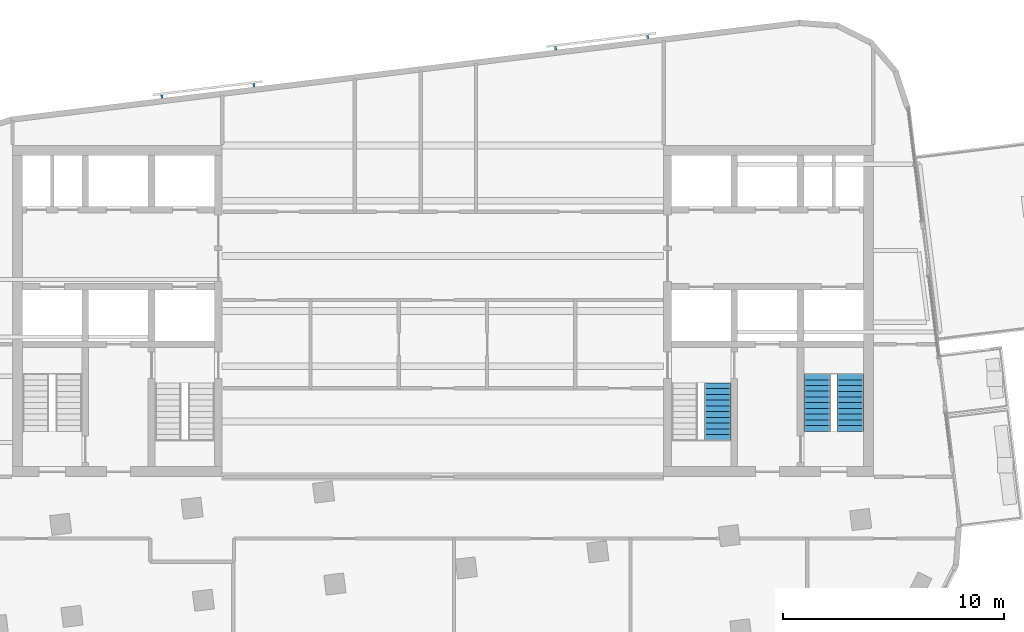
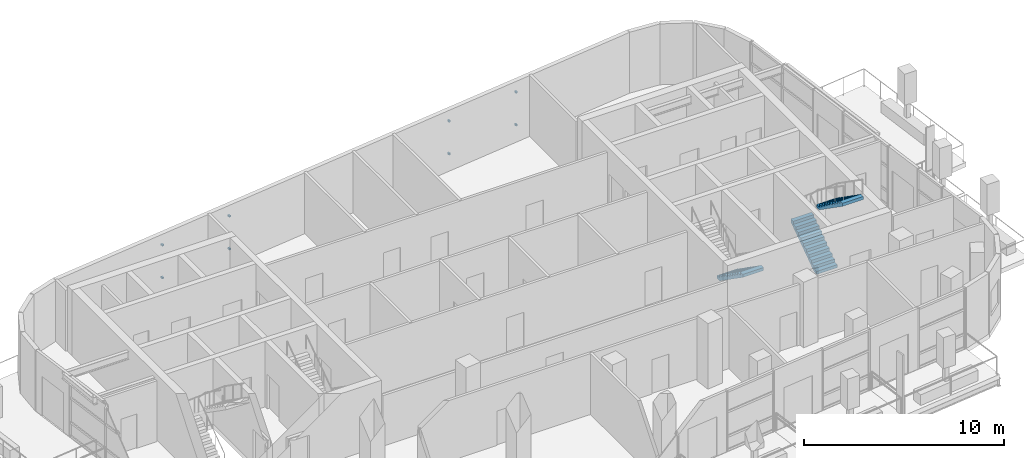
# One storey, part 11 of 14: 8 discrete accessories, 3 stair flights, 2 elements without a shape of their own.
"""IFC4 building model written with IfcOpenShell, lengths in metres."""

from ifc_helpers import new_model, si_unit, direction, frame, origin, origin_2d, place, context, subcontext, project, spatial, polyline, rectangle, outline, extrude, material, type_object, element, aggregate, save


model = new_model("IFC4")

# Units and contexts
model_context = context("Model", 3, precision=1e-05, world=origin(), true_north=direction((0.0, 1.0)))
body_context = subcontext(model_context, "Body", "Model", "MODEL_VIEW")
ifc_project = project(units=[si_unit("LENGTHUNIT", "METRE"), si_unit("AREAUNIT", "SQUARE_METRE"), si_unit("VOLUMEUNIT", "CUBIC_METRE"), si_unit("PLANEANGLEUNIT", "RADIAN"), si_unit("MASSUNIT", "GRAM", prefix="KILO")], contexts=[model_context])

# Site, building, storey
site_placement = place(None, origin())
site = spatial("IfcSite", under=ifc_project, at=site_placement, CompositionType="ELEMENT")
building_placement = place(site_placement, origin())
building = spatial("IfcBuilding", under=site, at=building_placement, Name="Torana Hotel and Residences", CompositionType="ELEMENT")
storey_placement = place(building_placement, frame((0.0, 0.0, 338.60009765625)))
storey = spatial("IfcBuildingStorey", under=building, at=storey_placement, Name="L89", CompositionType="ELEMENT", Elevation=338.60009765625)

# Stair, stair flight
ifc_material_1 = material(Name="Concrete C40/50 precast", Category="concrete")
stair_type_1 = type_object("IfcStairType", Name="STAIR ST3 HALF TURN 1200", PredefinedType="HALF_TURN_STAIR", material=ifc_material_1)
stair_1_placement = place(storey_placement, origin())
stair_1 = element("IfcStair", 1, at=stair_1_placement, inside=storey, type_object=stair_type_1, Name="Stair ST3 L89", PredefinedType="HALF_TURN_STAIR")
ifc_material_2 = material(Name="Concrete C40/50 precast", Category="concrete")
stair_flight_type = type_object("IfcStairFlightType", Name="STAIR FLIGHT 1200 PRECAST", PredefinedType="STRAIGHT", material=ifc_material_2)
stair_flight_1_placement = place(storey_placement, frame((12.449951171875, -10.75, 0.0), z_axis=(0.0, 0.0, 1.0), x_axis=(0.0, -1.0, 0.0)))
stair_flight_1 = element("IfcStairFlight", 2, at=stair_flight_1_placement, type_object=stair_flight_type, Name="ST3 flight 1", NumberOfRisers=11, NumberOfTreads=10, PredefinedType="STRAIGHT", RiserHeight=0.181818182, TreadLength=0.26, context=body_context, shape_type="SweptSolid", body=[
    extrude(outline(polyline([(0.0, 0.0), (0.0, 0.181884765625), (0.260009765625, 0.181884765625), (0.260009765625, 0.363525390625), (0.52001953125, 0.363525390625), (0.52001953125, 0.54541015625), (0.780029296875, 0.54541015625), (0.780029296875, 0.727294921875), (1.0400390625, 0.727294921875), (1.0400390625, 0.9091796875), (1.300048828125, 0.9091796875), (1.300048828125, 1.0908203125), (1.56005859375, 1.0908203125), (1.56005859375, 1.272705078125), (1.820068359375, 1.272705078125), (1.820068359375, 1.45458984375), (2.080078125, 1.45458984375), (2.080078125, 1.636474609375), (2.340087890625, 1.636474609375), (2.340087890625, 1.818115234375), (2.60009765625, 1.818115234375), (2.60009765625, 2.0), (2.60009765625, 1.63525390625), (0.261474609375, 0.0), (0.0, 0.0)])), frame((0.0, 0.60009765625, 0.0), z_axis=(0.0, -1.0, 0.0), x_axis=(1.0, 0.0, 0.0)), (0.0, 0.0, 1.0), 1.199951171875),
])
aggregate(stair_1, [stair_flight_1])

# Stair, stair flights
ifc_material_3 = material(Name="Concrete C40/50 precast", Category="concrete")
stair_type_2 = type_object("IfcStairType", Name="STAIR ST4 HALF TURN 1200", PredefinedType="HALF_TURN_STAIR", material=ifc_material_3)
stair_2_placement = place(storey_placement, origin())
stair_2 = element("IfcStair", 3, at=stair_2_placement, inside=storey, type_object=stair_type_2, Name="Stair ST4 L89", PredefinedType="HALF_TURN_STAIR")
stair_flight_2_placement = place(storey_placement, frame((16.949951171875, -12.949951171875, 0.0), z_axis=(0.0, 0.0, 1.0), x_axis=(0.0, 1.0, 0.0)))
stair_flight_2 = element("IfcStairFlight", 4, at=stair_flight_2_placement, type_object=stair_flight_type, Name="ST4 flight 1", NumberOfRisers=11, NumberOfTreads=10, PredefinedType="STRAIGHT", RiserHeight=0.181818182, TreadLength=0.26, context=body_context, shape_type="SweptSolid", body=[
    extrude(outline(polyline([(0.0, 0.0), (0.0, 0.181884765625), (0.260009765625, 0.181884765625), (0.260009765625, 0.363525390625), (0.52001953125, 0.363525390625), (0.52001953125, 0.54541015625), (0.780029296875, 0.54541015625), (0.780029296875, 0.727294921875), (1.0400390625, 0.727294921875), (1.0400390625, 0.9091796875), (1.300048828125, 0.9091796875), (1.300048828125, 1.0908203125), (1.56005859375, 1.0908203125), (1.56005859375, 1.272705078125), (1.820068359375, 1.272705078125), (1.820068359375, 1.45458984375), (2.080078125, 1.45458984375), (2.080078125, 1.636474609375), (2.340087890625, 1.636474609375), (2.340087890625, 1.818115234375), (2.60009765625, 1.818115234375), (2.60009765625, 2.0), (2.60009765625, 1.63525390625), (0.261474609375, 0.0), (0.0, 0.0)])), frame((0.0, 0.60009765625, 0.0), z_axis=(0.0, -1.0, 0.0), x_axis=(1.0, 0.0, 0.0)), (0.0, 0.0, 1.0), 1.199951171875),
])
stair_flight_3_placement = place(storey_placement, frame((18.449951171875, -10.35009765625, 2.0), z_axis=(0.0, 0.0, 1.0), x_axis=(0.0, -1.0, 0.0)))
stair_flight_3 = element("IfcStairFlight", 5, at=stair_flight_3_placement, type_object=stair_flight_type, Name="ST4 flight 2", NumberOfRisers=11, NumberOfTreads=10, PredefinedType="STRAIGHT", RiserHeight=0.181818182, TreadLength=0.26, context=body_context, shape_type="SweptSolid", body=[
    extrude(outline(polyline([(0.0, 0.0), (0.0, 0.181884765625), (0.260009765625, 0.181884765625), (0.260009765625, 0.363525390625), (0.52001953125, 0.363525390625), (0.52001953125, 0.54541015625), (0.780029296875, 0.54541015625), (0.780029296875, 0.727294921875), (1.0400390625, 0.727294921875), (1.0400390625, 0.9091796875), (1.300048828125, 0.9091796875), (1.300048828125, 1.0908203125), (1.56005859375, 1.0908203125), (1.56005859375, 1.272705078125), (1.820068359375, 1.272705078125), (1.820068359375, 1.45458984375), (2.080078125, 1.45458984375), (2.080078125, 1.636474609375), (2.340087890625, 1.636474609375), (2.340087890625, 1.818115234375), (2.60009765625, 1.818115234375), (2.60009765625, 2.0), (2.60009765625, 1.63525390625), (0.261474609375, 0.0), (0.0, 0.0)])), frame((0.0, 0.60009765625, 0.0), z_axis=(0.0, -1.0, 0.0), x_axis=(1.0, 0.0, 0.0)), (0.0, 0.0, 1.0), 1.199951171875),
])
aggregate(stair_2, [stair_flight_2, stair_flight_3])

# Discrete accessories
ifc_material_4 = material(Name="Steel S355", Category="steel")
discrete_accessory_type = type_object("IfcDiscreteAccessoryType", Name="SCREEN BRACKET 100", PredefinedType="BRACKET", material=ifc_material_4)
for number, where, z_axis, x_axis, name in (
    (6, (9.277587890625, 4.920654296875, 0.749755859375), (0.0, 0.0, 1.0), (-0.99254657704, -0.121865878765, 0.0), "Screen bracket L89"),
    (7, (9.277587890625, 4.920654296875, 2.749755859375), (0.0, 0.0, 1.0), (-0.99254657704, -0.121865878765, 0.0), "Screen bracket L89"),
    (8, (5.10888671875, 4.40869140625, 0.749755859375), (0.0, 0.0, 1.0), (-0.99254657704, -0.121865878765, 0.0), "Screen bracket L89"),
    (9, (5.10888671875, 4.40869140625, 2.749755859375), (0.0, 0.0, 1.0), (-0.99254657704, -0.121865878765, 0.0), "Screen bracket L89"),
    (10, (-8.563720703125, 2.72998046875, 0.749755859375), (0.0, 0.0, 1.0), (-0.99254657704, -0.121865878765, 0.0), "Screen bracket L89"),
    (11, (-8.563720703125, 2.72998046875, 2.749755859375), (0.0, 0.0, 1.0), (-0.99254657704, -0.121865878765, 0.0), "Screen bracket L89"),
    (12, (-12.732421875, 2.218017578125, 0.749755859375), (0.0, 0.0, 1.0), (-0.99254657704, -0.121865878765, 0.0), "Screen bracket L89"),
    (13, (-12.732421875, 2.218017578125, 2.749755859375), (0.0, 0.0, 1.0), (-0.99254657704, -0.121865878765, 0.0), "Screen bracket L89"),
):
    element("IfcDiscreteAccessory", number, at=place(storey_placement, frame(where, z_axis=z_axis, x_axis=x_axis)), inside=storey, type_object=discrete_accessory_type, Name=name, PredefinedType="BRACKET", context=body_context, shape_type="SweptSolid", body=[
        extrude(rectangle(XDim=0.10009765625, YDim=0.14990234375, at=origin_2d()), origin(), (0.0, 0.0, 1.0), 0.10009765625),
    ])

save(model, "model.ifc")
